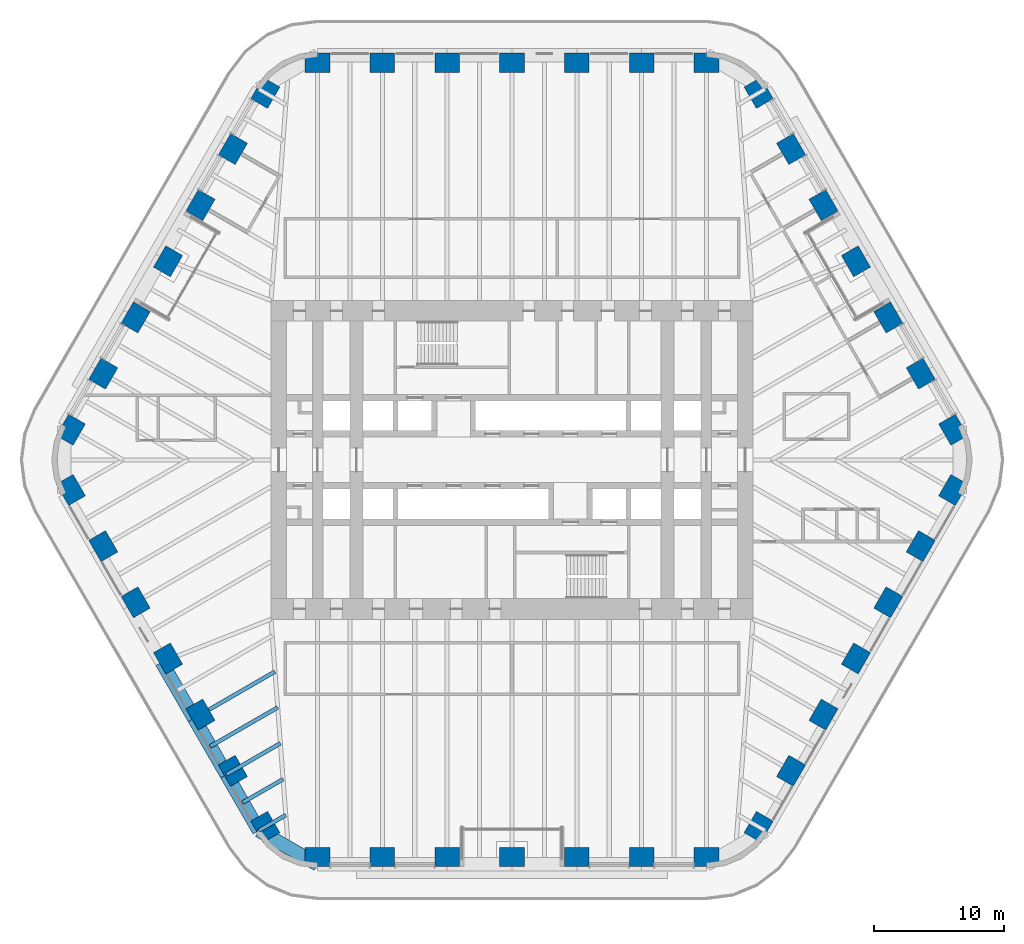
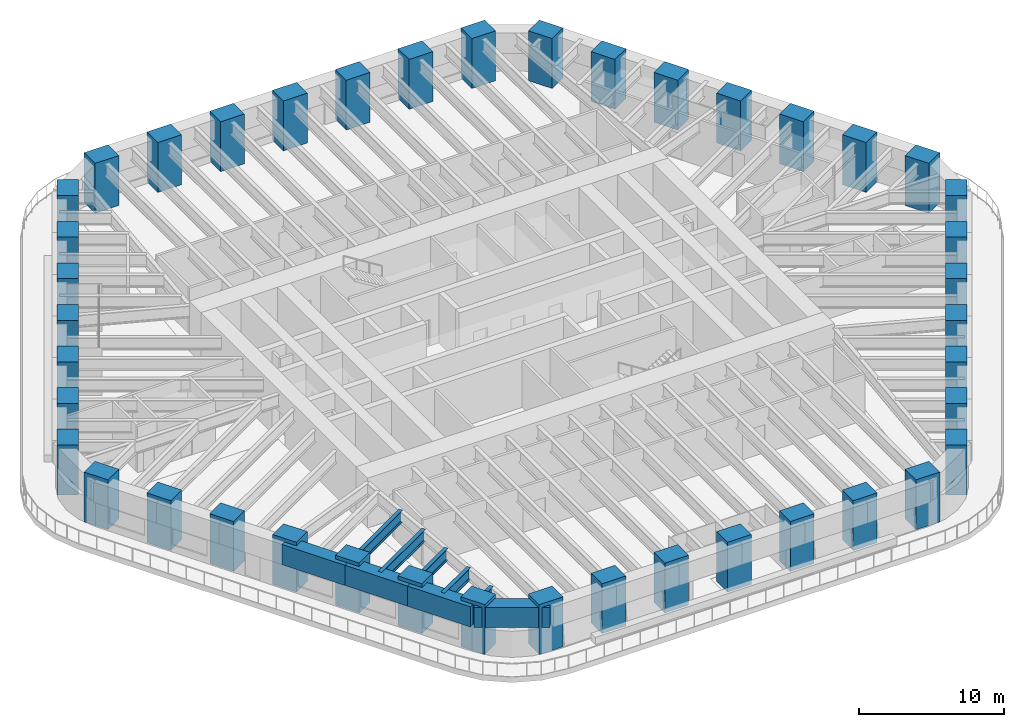
# One storey, part 1 of 19: 42 columns, 9 beams.
"""IFC4 building model written with IfcOpenShell, lengths in metres."""

from ifc_helpers import new_model, si_unit, direction, frame, origin, origin_2d, place, context, subcontext, project, spatial, rectangle, i_section, extrude, material, material_profile, profile_set, type_object, element, save


model = new_model("IFC4")

# Units and contexts
model_context = context("Model", 3, precision=1e-05, world=origin(), true_north=direction((0.0, 1.0)))
body_context = subcontext(model_context, "Body", "Model", "MODEL_VIEW")
ifc_project = project(units=[si_unit("LENGTHUNIT", "METRE"), si_unit("AREAUNIT", "SQUARE_METRE"), si_unit("VOLUMEUNIT", "CUBIC_METRE"), si_unit("PLANEANGLEUNIT", "RADIAN"), si_unit("MASSUNIT", "GRAM", prefix="KILO")], contexts=[model_context])

# Site, building, storey
site_placement = place(None, origin())
site = spatial("IfcSite", under=ifc_project, at=site_placement, CompositionType="ELEMENT")
building_placement = place(site_placement, origin())
building = spatial("IfcBuilding", under=site, at=building_placement, Name="Tarfa Lantern Tower", CompositionType="ELEMENT")
storey_placement = place(building_placement, frame((0.0, 0.0, 199.300048828125)))
storey = spatial("IfcBuildingStorey", under=building, at=storey_placement, Name="L45", CompositionType="ELEMENT", Elevation=199.300048828125)

# Columns
ifc_material_1 = material(Name="Concrete C80/95", Category="concrete")
ifc_material_profile_1 = material_profile(ifc_material_1, rectangle(XDim=1.89990234375, YDim=1.5, at=origin_2d()), Name="RC 1900x1500")
ifc_profile_set_1 = profile_set([ifc_material_profile_1], Name="Concrete C80/95")
column_type = type_object("IfcColumnType", Name="TL2 RC 1900x1500", PredefinedType="COLUMN", material=ifc_profile_set_1)
for number, where, z_axis, x_axis, name in (
    (1, (34.04931640625, 2.324951171875, 0.0), (0.0, 0.0, 1.0), (-0.5, 0.866025403784, 0.0), "Tube column NE0"),
    (2, (31.54736328125, 6.658447265625, 0.0), (0.0, 0.0, 1.0), (-0.5, 0.866025403784, 0.0), "Tube column NE1"),
    (3, (29.04541015625, 10.99169921875, 0.0), (0.0, 0.0, 1.0), (-0.5, 0.866025403784, 0.0), "Tube column NE2"),
    (4, (26.543701171875, 15.324951171875, 0.0), (0.0, 0.0, 1.0), (-0.5, 0.866025403784, 0.0), "Tube column NE3"),
    (5, (24.041748046875, 19.658447265625, 0.0), (0.0, 0.0, 1.0), (-0.5, 0.866025403784, 0.0), "Tube column NE4"),
    (6, (21.5400390625, 23.99169921875, 0.0), (0.0, 0.0, 1.0), (-0.5, 0.866025403784, 0.0), "Tube column NE5"),
    (7, (19.0380859375, 28.324951171875, 0.0), (0.0, 0.0, 1.0), (-0.5, 0.866025403784, 0.0), "Tube column NE6"),
    (8, (15.010986328125, 30.64990234375, 0.0), (0.0, 0.0, 1.0), (-1.0, 0.0, 0.0), "Tube column N0"),
    (9, (10.00732421875, 30.64990234375, 0.0), (0.0, 0.0, 1.0), (-1.0, 0.0, 0.0), "Tube column N1"),
    (10, (5.003662109375, 30.64990234375, 0.0), (0.0, 0.0, 1.0), (-1.0, 0.0, 0.0), "Tube column N2"),
    (11, (0.0, 30.64990234375, 0.0), (0.0, 0.0, 1.0), (-1.0, 0.0, 0.0), "Tube column N3"),
    (12, (-5.003662109375, 30.64990234375, 0.0), (0.0, 0.0, 1.0), (-1.0, 0.0, 0.0), "Tube column N4"),
    (13, (-10.00732421875, 30.64990234375, 0.0), (0.0, 0.0, 1.0), (-1.0, 0.0, 0.0), "Tube column N5"),
    (14, (-15.010986328125, 30.64990234375, 0.0), (0.0, 0.0, 1.0), (-1.0, 0.0, 0.0), "Tube column N6"),
    (15, (-19.0380859375, 28.324951171875, 0.0), (0.0, 0.0, 1.0), (-0.5, -0.866025403784, 0.0), "Tube column NW0"),
    (16, (-21.5400390625, 23.99169921875, 0.0), (0.0, 0.0, 1.0), (-0.5, -0.866025403784, 0.0), "Tube column NW1"),
    (17, (-24.041748046875, 19.658447265625, 0.0), (0.0, 0.0, 1.0), (-0.5, -0.866025403784, 0.0), "Tube column NW2"),
    (18, (-26.543701171875, 15.324951171875, 0.0), (0.0, 0.0, 1.0), (-0.5, -0.866025403784, 0.0), "Tube column NW3"),
    (19, (-29.04541015625, 10.99169921875, 0.0), (0.0, 0.0, 1.0), (-0.5, -0.866025403784, 0.0), "Tube column NW4"),
    (20, (-31.54736328125, 6.658447265625, 0.0), (0.0, 0.0, 1.0), (-0.5, -0.866025403784, 0.0), "Tube column NW5"),
    (21, (-34.04931640625, 2.324951171875, 0.0), (0.0, 0.0, 1.0), (-0.5, -0.866025403784, 0.0), "Tube column NW6"),
    (22, (-34.04931640625, -2.324951171875, 0.0), (0.0, 0.0, 1.0), (0.5, -0.866025403784, 0.0), "Tube column SW0"),
    (23, (-31.54736328125, -6.658447265625, 0.0), (0.0, 0.0, 1.0), (0.5, -0.866025403784, 0.0), "Tube column SW1"),
    (24, (-29.04541015625, -10.99169921875, 0.0), (0.0, 0.0, 1.0), (0.5, -0.866025403784, 0.0), "Tube column SW2"),
    (25, (-26.543701171875, -15.324951171875, 0.0), (0.0, 0.0, 1.0), (0.5, -0.866025403784, 0.0), "Tube column SW3"),
    (26, (-24.041748046875, -19.658447265625, 0.0), (0.0, 0.0, 1.0), (0.5, -0.866025403784, 0.0), "Tube column SW4"),
    (27, (-21.5400390625, -23.99169921875, 0.0), (0.0, 0.0, 1.0), (0.5, -0.866025403784, 0.0), "Tube column SW5"),
    (28, (-19.0380859375, -28.324951171875, 0.0), (0.0, 0.0, 1.0), (0.5, -0.866025403784, 0.0), "Tube column SW6"),
    (29, (-15.010986328125, -30.64990234375, 0.0), (0.0, 0.0, 1.0), (1.0, 0.0, 0.0), "Tube column S0"),
    (30, (-10.00732421875, -30.64990234375, 0.0), (0.0, 0.0, 1.0), (1.0, 0.0, 0.0), "Tube column S1"),
    (31, (-5.003662109375, -30.64990234375, 0.0), (0.0, 0.0, 1.0), (1.0, 0.0, 0.0), "Tube column S2"),
    (32, (0.0, -30.64990234375, 0.0), (0.0, 0.0, 1.0), (1.0, 0.0, 0.0), "Tube column S3"),
    (33, (5.003662109375, -30.64990234375, 0.0), (0.0, 0.0, 1.0), (1.0, 0.0, 0.0), "Tube column S4"),
    (34, (10.00732421875, -30.64990234375, 0.0), (0.0, 0.0, 1.0), (1.0, 0.0, 0.0), "Tube column S5"),
    (35, (15.010986328125, -30.64990234375, 0.0), (0.0, 0.0, 1.0), (1.0, 0.0, 0.0), "Tube column S6"),
    (36, (19.0380859375, -28.324951171875, 0.0), (0.0, 0.0, 1.0), (0.5, 0.866025403784, 0.0), "Tube column SE0"),
    (37, (21.5400390625, -23.99169921875, 0.0), (0.0, 0.0, 1.0), (0.5, 0.866025403784, 0.0), "Tube column SE1"),
    (38, (24.041748046875, -19.658447265625, 0.0), (0.0, 0.0, 1.0), (0.5, 0.866025403784, 0.0), "Tube column SE2"),
    (39, (26.543701171875, -15.324951171875, 0.0), (0.0, 0.0, 1.0), (0.5, 0.866025403784, 0.0), "Tube column SE3"),
    (40, (29.04541015625, -10.99169921875, 0.0), (0.0, 0.0, 1.0), (0.5, 0.866025403784, 0.0), "Tube column SE4"),
    (41, (31.54736328125, -6.658447265625, 0.0), (0.0, 0.0, 1.0), (0.5, 0.866025403784, 0.0), "Tube column SE5"),
    (42, (34.04931640625, -2.324951171875, 0.0), (0.0, 0.0, 1.0), (0.5, 0.866025403784, 0.0), "Tube column SE6"),
):
    element("IfcColumn", number, at=place(storey_placement, frame(where, z_axis=z_axis, x_axis=x_axis)), inside=storey, type_object=column_type, Name=name, PredefinedType="COLUMN", context=body_context, shape_type="SweptSolid", body=[
        extrude(rectangle(XDim=1.89990234375, YDim=1.5, at=origin_2d()), origin(), (0.0, 0.0, 1.0), 4.199951171875),
    ])

# Beams
ifc_material_profile_2 = material_profile(ifc_material_1, rectangle(XDim=1.050048828125, YDim=1.699951171875, at=origin_2d()), Name="RC 1050x1700")
ifc_profile_set_2 = profile_set([ifc_material_profile_2], Name="Concrete C80/95")
beam_type_1 = type_object("IfcBeamType", Name="RB2 RC 1050x1700", PredefinedType="BEAM", material=ifc_profile_set_2)
for number, where, z_axis, x_axis, name in (
    (43, (-27.037353515625, -15.610107421875, 3.050048828125), (0.500022324899, -0.866012514114, 0.0), (0.866012514114, 0.500022324899, 0.0), "Edge beam SW3"),
    (44, (-24.535400390625, -19.943359375, 3.050048828125), (0.49998573051, -0.866033642122, 0.0), (0.866033642122, 0.49998573051, 0.0), "Edge beam SW4"),
):
    element("IfcBeam", number, at=place(storey_placement, frame(where, z_axis=z_axis, x_axis=x_axis)), inside=storey, type_object=beam_type_1, Name=name, PredefinedType="BEAM", context=body_context, shape_type="SweptSolid", body=[
        extrude(rectangle(XDim=1.050048828125, YDim=1.699951171875, at=origin_2d()), origin(), (0.0, 0.0, 1.0), 5.003662109375),
    ])
beam_1_placement = place(storey_placement, frame((-22.03369140625, -24.276611328125, 3.050048828125), z_axis=(0.500001197378, -0.866024712477, 0.0), x_axis=(0.866024712477, 0.500001197378, 0.0)))
element("IfcBeam", 45, at=beam_1_placement, inside=storey, type_object=beam_type_1, Name="Edge beam SW5", PredefinedType="BEAM", context=body_context, shape_type="SweptSolid", body=[
    extrude(rectangle(XDim=1.050048828125, YDim=1.699951171875, at=origin_2d()), origin(), (0.0, 0.0, 1.0), 5.00390625),
])
beam_2_placement = place(storey_placement, frame((-19.53173828125, -28.610107421875, 3.050048828125), z_axis=(0.86604150238, -0.499972115377, 0.0), x_axis=(0.499972115377, 0.86604150238, 0.0)))
element("IfcBeam", 46, at=beam_2_placement, inside=storey, type_object=beam_type_1, Name="Edge beam SW6", PredefinedType="BEAM", context=body_context, shape_type="SweptSolid", body=[
    extrude(rectangle(XDim=1.050048828125, YDim=1.699951171875, at=origin_2d()), origin(), (0.0, 0.0, 1.0), 5.219970703125),
])
ifc_material_2 = material(Name="Steel S460M", Category="steel")
ifc_material_profile_3 = material_profile(ifc_material_2, i_section(OverallWidth=0.302001953125, OverallDepth=1.008056640625, WebThickness=0.02099609375, FlangeThickness=0.0400390625, FilletRadius=0.030029296875, at=origin_2d()), Name="UB1016x305x349")
ifc_profile_set_3 = profile_set([ifc_material_profile_3], Name="Steel S460M")
beam_type_2 = type_object("IfcBeamType", Name="UB1016x305x349", PredefinedType="BEAM", material=ifc_profile_set_3)
beam_3_placement = place(storey_placement, frame((-24.535400390625, -19.943359375, 3.39599609375), z_axis=(0.86602647304, 0.499998147991, 0.0), x_axis=(-0.499998147991, 0.86602647304, 0.0)))
element("IfcBeam", 47, at=beam_3_placement, inside=storey, type_object=beam_type_2, Name="Floor beam SW4", PredefinedType="BEAM", context=body_context, shape_type="SweptSolid", body=[
    extrude(i_section(OverallWidth=0.302001953125, OverallDepth=1.008056640625, WebThickness=0.02099609375, FlangeThickness=0.0400390625, FilletRadius=0.030029296875, at=origin_2d()), origin(), (0.0, 0.0, 1.0), 7.20556640625),
])
beam_4_placement = place(storey_placement, frame((-22.03369140625, -24.276611328125, 3.39599609375), z_axis=(0.866030550462, 0.499991085587, 0.0), x_axis=(-0.499991085587, 0.866030550462, 0.0)))
element("IfcBeam", 48, at=beam_4_placement, inside=storey, type_object=beam_type_2, Name="Floor beam SW5", PredefinedType="BEAM", context=body_context, shape_type="SweptSolid", body=[
    extrude(i_section(OverallWidth=0.302001953125, OverallDepth=1.008056640625, WebThickness=0.02099609375, FlangeThickness=0.0400390625, FilletRadius=0.030029296875, at=origin_2d()), origin(), (0.0, 0.0, 1.0), 4.798828125),
])
beam_5_placement = place(storey_placement, frame((-19.53173828125, -28.610107421875, 3.39599609375), z_axis=(0.865998640954, 0.500046351717, 0.0), x_axis=(-0.500046351717, 0.865998640954, 0.0)))
element("IfcBeam", 49, at=beam_5_placement, inside=storey, type_object=beam_type_2, Name="Floor beam SW6", PredefinedType="BEAM", context=body_context, shape_type="SweptSolid", body=[
    extrude(i_section(OverallWidth=0.302001953125, OverallDepth=1.008056640625, WebThickness=0.02099609375, FlangeThickness=0.0400390625, FilletRadius=0.030029296875, at=origin_2d()), origin(), (0.0, 0.0, 1.0), 2.392333984375),
])
beam_6_placement = place(storey_placement, frame((-23.284423828125, -22.110107421875, 3.39599609375), z_axis=(0.866014212035, 0.500019384178, 0.0), x_axis=(-0.500019384178, 0.866014212035, 0.0)))
element("IfcBeam", 50, at=beam_6_placement, inside=storey, type_object=beam_type_2, Name="Floor beam SW4M", PredefinedType="BEAM", context=body_context, shape_type="SweptSolid", body=[
    extrude(i_section(OverallWidth=0.302001953125, OverallDepth=1.008056640625, WebThickness=0.02099609375, FlangeThickness=0.0400390625, FilletRadius=0.030029296875, at=origin_2d()), origin(), (0.0, 0.0, 1.0), 6.002197265625),
])
beam_7_placement = place(storey_placement, frame((-20.78271484375, -26.443359375, 3.39599609375), z_axis=(0.866011447264, 0.500024172624, 0.0), x_axis=(-0.500024172624, 0.866011447264, 0.0)))
element("IfcBeam", 51, at=beam_7_placement, inside=storey, type_object=beam_type_2, Name="Floor beam SW5M", PredefinedType="BEAM", context=body_context, shape_type="SweptSolid", body=[
    extrude(i_section(OverallWidth=0.302001953125, OverallDepth=1.008056640625, WebThickness=0.02099609375, FlangeThickness=0.0400390625, FilletRadius=0.030029296875, at=origin_2d()), origin(), (0.0, 0.0, 1.0), 3.595458984375),
])

save(model, "model.ifc")
